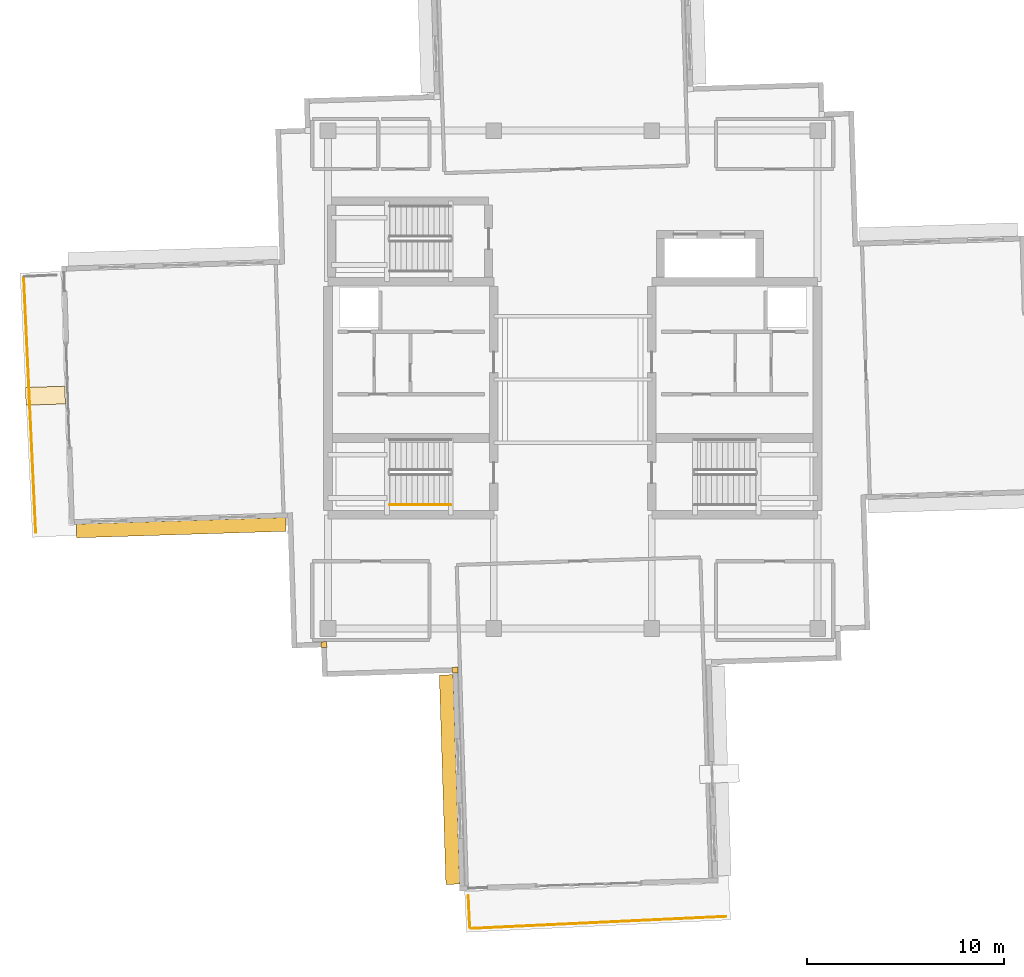
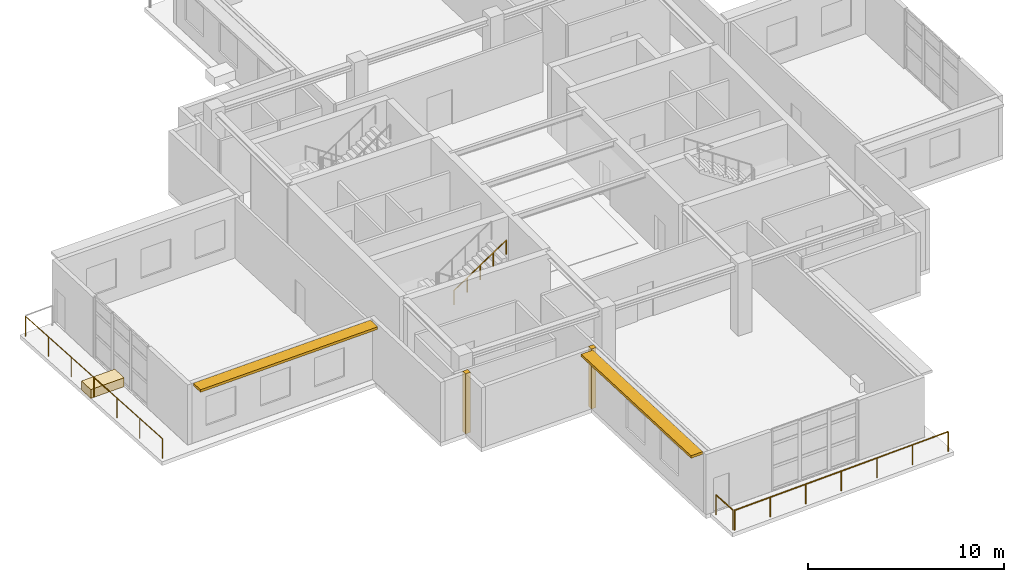
# One storey, part 14 of 18: 4 railings, 3 coverings, 2 shading devices.
"""IFC4 building model written with IfcOpenShell, lengths in metres."""

from ifc_helpers import new_model, si_unit, direction, frame, origin, origin_2d, place, context, subcontext, project, spatial, rectangle, circle, extrude, material, layer, layer_set, type_object, element, save


model = new_model("IFC4")

# Units and contexts
model_context = context("Model", 3, precision=1e-05, world=origin(), true_north=direction((0.0, 1.0)))
body_context = subcontext(model_context, "Body", "Model", "MODEL_VIEW")
ifc_project = project(units=[si_unit("LENGTHUNIT", "METRE"), si_unit("AREAUNIT", "SQUARE_METRE"), si_unit("VOLUMEUNIT", "CUBIC_METRE"), si_unit("PLANEANGLEUNIT", "RADIAN"), si_unit("MASSUNIT", "GRAM", prefix="KILO")], contexts=[model_context])

# Site, building, storey
site_placement = place(None, origin())
site = spatial("IfcSite", under=ifc_project, at=site_placement, CompositionType="ELEMENT")
building_placement = place(site_placement, origin())
building = spatial("IfcBuilding", under=site, at=building_placement, Name="Qingluan Cross Belvedere", CompositionType="ELEMENT")
storey_placement = place(building_placement, frame((0.0, 0.0, 299.39990234375)))
storey = spatial("IfcBuildingStorey", under=building, at=storey_placement, Name="L74", CompositionType="ELEMENT", Elevation=299.39990234375)

# Coverings
ifc_material_1 = material(Name="Precast concrete C45", Category="concrete")
ifc_layer_1 = layer(ifc_material_1, 0.1201171875, Name="ConcreteSpandrelCladding_120")
ifc_layer_set_1 = layer_set([ifc_layer_1], Name="Precast concrete C45")
covering_type_1 = type_object("IfcCoveringType", Name="ConcreteSpandrelCladding_120", PredefinedType="CLADDING", material=ifc_layer_set_1)
for number, where, z_axis, x_axis, name in (
    (1, (-12.6044921875, -13.422607421875, 0.0), (0.0, 0.0, 1.0), (0.999506560366, 0.031410759078, 0.0), "Corner closure L74-SW1"),
    (2, (-5.960693359375, -14.714599609375, 0.0), (0.0, 0.0, 1.0), (0.999506560366, 0.031410759078, 0.0), "Corner closure L74-SW2"),
):
    element("IfcCovering", number, at=place(storey_placement, frame(where, z_axis=z_axis, x_axis=x_axis)), inside=storey, type_object=covering_type_1, Name=name, PredefinedType="CLADDING", context=body_context, shape_type="SweptSolid", body=[
        extrude(rectangle(XDim=0.2900390625, YDim=0.2900390625, at=origin_2d()), origin(), (0.0, 0.0, 1.0), 3.72998046875),
    ])

# Shading devices
ifc_material_2 = material(Name="Precast concrete C45", Category="concrete")
ifc_layer_2 = layer(ifc_material_2, 0.139892578125, Name="ConcreteSunshadeBand_700")
ifc_layer_set_2 = layer_set([ifc_layer_2], Name="Precast concrete C45")
shading_device_type = type_object("IfcShadingDeviceType", Name="ConcreteSunshadeBand_700", PredefinedType="USERDEFINED", material=ifc_layer_set_2)
for number, where, z_axis, x_axis, name in (
    (3, (-19.82421875, -7.50146484375, 3.55029296875), (0.0, 0.0, 1.0), (0.99950641914, 0.031415252618, 0.0), "Concrete SUNSHADE L74-WB"),
    (4, (-6.24169921875, -20.256103515625, 3.55029296875), (0.0, 0.0, 1.0), (0.031406011072, -0.999506709567, 0.0), "Concrete SUNSHADE L74-SA"),
):
    element("IfcShadingDevice", number, at=place(storey_placement, frame(where, z_axis=z_axis, x_axis=x_axis)), inside=storey, type_object=shading_device_type, Name=name, ObjectType="SUNSHADE", PredefinedType="USERDEFINED", context=body_context, shape_type="SweptSolid", body=[
        extrude(rectangle(XDim=10.610107421875, YDim=0.699951171875, at=origin_2d()), origin(), (0.0, 0.0, 1.0), 0.159912109375),
    ])

# Railings
ifc_material_3 = material(Name="Laminated safety glass and stainless steel balustrade", Category="steel")
railing_type_1 = type_object("IfcRailingType", Name="ObservationGuardBalustrade_1250", PredefinedType="BALUSTRADE", material=ifc_material_3)
railing_1_placement = place(storey_placement, frame((-27.1904296875, -7.744384765625, 0.0)))
element("IfcRailing", 5, at=railing_1_placement, inside=storey, type_object=railing_type_1, Name="Terrace guard L74-1", PredefinedType="BALUSTRADE", context=body_context, shape_type="SweptSolid", body=[
    extrude(circle(Radius=0.02392578125, at=origin_2d()), frame((0.0, 0.0, 1.22607421875), z_axis=(-0.047107809899, 0.998889810863, 0.0), x_axis=(-0.998889810863, -0.047107809899, 0.0)), (0.0, 0.0, 1.0), 12.909912109375),
    extrude(circle(Radius=0.02099609375, at=origin_2d()), origin(), (0.0, 0.0, 1.0), 1.201904296875),
    extrude(circle(Radius=0.02099609375, at=origin_2d()), frame((-0.101318359375, 2.149169921875, 0.0)), (0.0, 0.0, 1.0), 1.201904296875),
    extrude(circle(Radius=0.02099609375, at=origin_2d()), frame((-0.20263671875, 4.298583984375, 0.0)), (0.0, 0.0, 1.0), 1.201904296875),
    extrude(circle(Radius=0.02099609375, at=origin_2d()), frame((-0.30419921875, 6.44775390625, 0.0)), (0.0, 0.0, 1.0), 1.201904296875),
    extrude(circle(Radius=0.02099609375, at=origin_2d()), frame((-0.405517578125, 8.596923828125, 0.0)), (0.0, 0.0, 1.0), 1.201904296875),
    extrude(circle(Radius=0.02099609375, at=origin_2d()), frame((-0.5068359375, 10.746337890625, 0.0)), (0.0, 0.0, 1.0), 1.201904296875),
    extrude(circle(Radius=0.02099609375, at=origin_2d()), frame((-0.608154296875, 12.8955078125, 0.0)), (0.0, 0.0, 1.0), 1.201904296875),
])
railing_2_placement = place(storey_placement, frame((7.744384765625, -27.1904296875, 0.0)))
element("IfcRailing", 6, at=railing_2_placement, inside=storey, type_object=railing_type_1, Name="Terrace guard L74-1", PredefinedType="BALUSTRADE", context=body_context, shape_type="SweptSolid", body=[
    extrude(circle(Radius=0.02392578125, at=origin_2d()), frame((0.0, 0.0, 1.22607421875), z_axis=(-0.998889810863, -0.047107809899, 0.0), x_axis=(0.047107809899, -0.998889810863, 0.0)), (0.0, 0.0, 1.0), 12.909912109375),
    extrude(circle(Radius=0.02099609375, at=origin_2d()), origin(), (0.0, 0.0, 1.0), 1.201904296875),
    extrude(circle(Radius=0.02099609375, at=origin_2d()), frame((-2.149169921875, -0.101318359375, 0.0)), (0.0, 0.0, 1.0), 1.201904296875),
    extrude(circle(Radius=0.02099609375, at=origin_2d()), frame((-4.298583984375, -0.20263671875, 0.0)), (0.0, 0.0, 1.0), 1.201904296875),
    extrude(circle(Radius=0.02099609375, at=origin_2d()), frame((-6.44775390625, -0.30419921875, 0.0)), (0.0, 0.0, 1.0), 1.201904296875),
    extrude(circle(Radius=0.02099609375, at=origin_2d()), frame((-8.596923828125, -0.405517578125, 0.0)), (0.0, 0.0, 1.0), 1.201904296875),
    extrude(circle(Radius=0.02099609375, at=origin_2d()), frame((-10.746337890625, -0.5068359375, 0.0)), (0.0, 0.0, 1.0), 1.201904296875),
    extrude(circle(Radius=0.02099609375, at=origin_2d()), frame((-12.8955078125, -0.608154296875, 0.0)), (0.0, 0.0, 1.0), 1.201904296875),
])
railing_3_placement = place(storey_placement, frame((-5.214111328125, -27.741455078125, 0.0)))
element("IfcRailing", 7, at=railing_3_placement, inside=storey, type_object=railing_type_1, Name="Terrace guard L74-2", PredefinedType="BALUSTRADE", context=body_context, shape_type="SweptSolid", body=[
    extrude(circle(Radius=0.02392578125, at=origin_2d()), frame((0.0, 0.0, 1.22607421875), z_axis=(-0.047021140072, 0.998893894458, 0.0), x_axis=(-0.998893894458, -0.047021140072, 0.0)), (0.0, 0.0, 1.0), 1.59912109375),
    extrude(circle(Radius=0.02099609375, at=origin_2d()), origin(), (0.0, 0.0, 1.0), 1.201904296875),
    extrude(circle(Radius=0.02099609375, at=origin_2d()), frame((-0.0751953125, 1.597412109375, 0.0)), (0.0, 0.0, 1.0), 1.201904296875),
])
ifc_material_4 = material(Name="Brushed stainless steel tubular handrail", Category="steel")
railing_type_2 = type_object("IfcRailingType", Name="StairPitchHandrail_900", PredefinedType="HANDRAIL", material=ifc_material_4)
railing_4_placement = place(storey_placement, frame((-9.260009765625, -6.35009765625, 2.4375)))
element("IfcRailing", 8, at=railing_4_placement, inside=storey, type_object=railing_type_2, Name="L74 ST1 stair handrail 2", PredefinedType="HANDRAIL", context=body_context, shape_type="SweptSolid", body=[
    extrude(circle(Radius=0.02392578125, at=origin_2d()), frame((0.0, 0.0, 0.8759765625), z_axis=(0.830913701846, 0.0, 0.55640131208), x_axis=(0.0, 1.0, 0.0)), (0.0, 0.0, 1.0), 3.706787109375),
    extrude(circle(Radius=0.02099609375, at=origin_2d()), origin(), (0.0, 0.0, 1.0), 0.851806640625),
    extrude(circle(Radius=0.02099609375, at=origin_2d()), frame((0.77001953125, 0.0, 0.515625)), (0.0, 0.0, 1.0), 0.851806640625),
    extrude(circle(Radius=0.02099609375, at=origin_2d()), frame((1.5400390625, 0.0, 1.03125)), (0.0, 0.0, 1.0), 0.851806640625),
    extrude(circle(Radius=0.02099609375, at=origin_2d()), frame((2.31005859375, 0.0, 1.546875)), (0.0, 0.0, 1.0), 0.851806640625),
    extrude(circle(Radius=0.02099609375, at=origin_2d()), frame((3.080078125, 0.0, 2.0625)), (0.0, 0.0, 1.0), 0.851806640625),
])

# Covering
ifc_material_5 = material(Name="Precast concrete C40", Category="concrete")
ifc_layer_3 = layer(ifc_material_5, 0.550048828125, Name="TerracePlanterBox")
ifc_layer_set_3 = layer_set([ifc_layer_3], Name="Precast concrete C40")
covering_type_2 = type_object("IfcCoveringType", Name="TerracePlanterBox", PredefinedType="USERDEFINED", material=ifc_layer_set_3)
covering_placement = place(storey_placement, frame((-26.702880859375, -0.820068359375, 0.0), z_axis=(0.0, 0.0, 1.0), x_axis=(0.999506560366, 0.031410759078, 0.0)))
element("IfcCovering", 9, at=covering_placement, inside=storey, type_object=covering_type_2, Name="Terrace garden planter L74-2", ObjectType="PLANTER", PredefinedType="USERDEFINED", context=body_context, shape_type="SweptSolid", body=[
    extrude(rectangle(XDim=2.0, YDim=0.89990234375, at=origin_2d()), origin(), (0.0, 0.0, 1.0), 0.550048828125),
])

save(model, "model.ifc")
